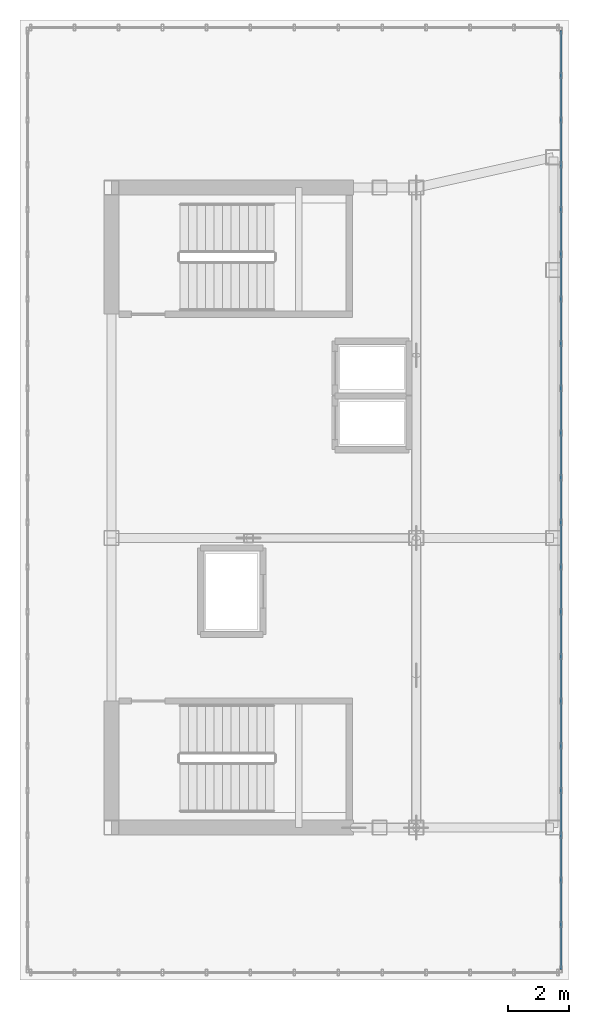
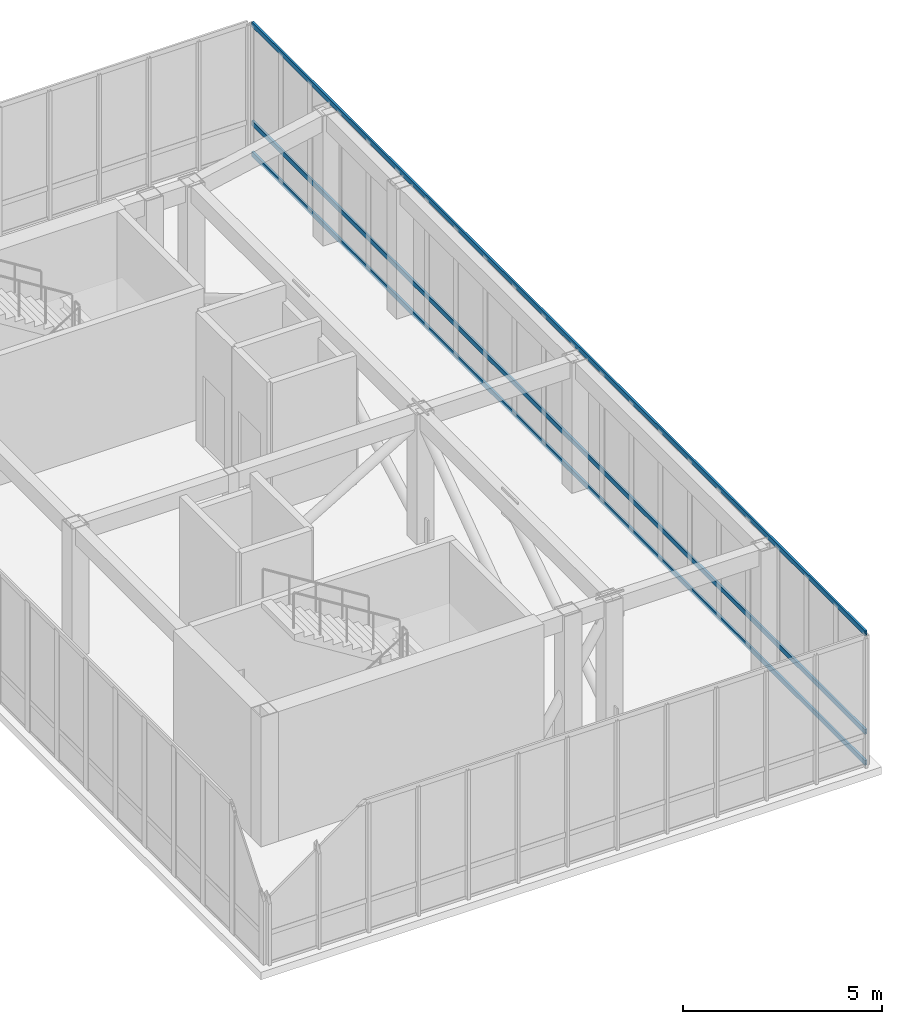
# One storey, part 7 of 13: 3 members, 1 element without a shape of its own.
"""IFC4 building model written with IfcOpenShell, lengths in metres."""

from ifc_helpers import new_model, si_unit, direction, frame, origin, origin_2d, place, context, subcontext, project, spatial, hollow_rectangle, extrude, source, transform, mapped, material, layer, layer_set, material_profile, profile_set, type_object, element, aggregate, save


model = new_model("IFC4")

# Units and contexts
model_context = context("Model", 3, precision=1e-05, world=origin(), true_north=direction((0.0, 1.0)))
body_context = subcontext(model_context, "Body", "Model", "MODEL_VIEW")
ifc_project = project(units=[si_unit("LENGTHUNIT", "METRE"), si_unit("AREAUNIT", "SQUARE_METRE"), si_unit("VOLUMEUNIT", "CUBIC_METRE"), si_unit("PLANEANGLEUNIT", "RADIAN"), si_unit("MASSUNIT", "GRAM", prefix="KILO")], contexts=[model_context])

# Site, building, storey
site_placement = place(None, origin())
site = spatial("IfcSite", under=ifc_project, at=site_placement, CompositionType="ELEMENT")
building_placement = place(site_placement, origin())
building = spatial("IfcBuilding", under=site, at=building_placement, Name="Kharzan Plaza Tower", CompositionType="ELEMENT")
storey_placement = place(building_placement, frame((0.0, 0.0, 285.60009765625)))
storey = spatial("IfcBuildingStorey", under=building, at=storey_placement, Name="L77-CROWN", CompositionType="ELEMENT", Elevation=285.60009765625)

# Curtain wall, members
ifc_material_1 = material(Name="Unitised Bronze-Anodized Aluminium and Low-E Glass", Category="aluminium")
ifc_layer = layer(ifc_material_1, 0.199951171875)
ifc_layer_set = layer_set([ifc_layer], Name="Unitised Bronze-Anodized Aluminium and Low-E Glass")
curtain_wall_type = type_object("IfcCurtainWallType", Name="CW-LANTERN-6", PredefinedType="NOTDEFINED", material=ifc_layer_set)
curtain_wall_placement = place(storey_placement, origin())
curtain_wall = element("IfcCurtainWall", 1, at=curtain_wall_placement, inside=storey, type_object=curtain_wall_type, Name="L77-CROWN Lantern Crown Illuminated Curtain Wall 2", PredefinedType="NOTDEFINED")
ifc_material_2 = material(Name="Anodized Bronze Aluminium", Category="aluminium")
ifc_material_profile = material_profile(ifc_material_2, hollow_rectangle(XDim=0.06005859375, YDim=0.14990234375, WallThickness=0.00341796875, at=origin_2d()), Name="ALU-T150x60x3.5")
ifc_profile_set = profile_set([ifc_material_profile], Name="Anodized Bronze Aluminium")
member_type = type_object("IfcMemberType", Name="MEM-CW-TRN150", PredefinedType="USERDEFINED", material=ifc_profile_set)
shared_shape = source(origin(), body_context, "Body", "SweptSolid", [
    extrude(hollow_rectangle(XDim=0.06005859375, YDim=0.14990234375, WallThickness=0.00341796875, at=origin_2d()), origin(), (0.0, 0.0, 1.0), 30.7998046875),
])
member_1_placement = place(storey_placement, frame((19.25, 3.85009765625, 0.0), z_axis=(0.0, 1.0, 0.0), x_axis=(-1.0, 0.0, 0.0)))
member_1 = element("IfcMember", 2, at=member_1_placement, type_object=member_type, Name="L77-CROWN Curtain-Wall Transom 1", ObjectType="TRANSOM", PredefinedType="USERDEFINED", context=body_context, shape_type="MappedRepresentation", body=[
    mapped(shared_shape, transform((0.0, 0.0, 0.0), x_axis=(1.0, 0.0, 0.0), y_axis=(0.0, 1.0, 0.0), z_axis=(0.0, 0.0, 1.0))),
])
member_2_placement = place(storey_placement, frame((19.25, 3.85009765625, 0.949951171875), z_axis=(0.0, 1.0, 0.0), x_axis=(-1.0, 0.0, 0.0)))
member_2 = element("IfcMember", 3, at=member_2_placement, type_object=member_type, Name="L77-CROWN Curtain-Wall Transom 2", ObjectType="TRANSOM", PredefinedType="USERDEFINED", context=body_context, shape_type="MappedRepresentation", body=[
    mapped(shared_shape, transform((0.0, 0.0, 0.0), x_axis=(1.0, 0.0, 0.0), y_axis=(0.0, 1.0, 0.0), z_axis=(0.0, 0.0, 1.0))),
])
member_3_placement = place(storey_placement, frame((19.25, 3.85009765625, 3.969970703125), z_axis=(0.0, 1.0, 0.0), x_axis=(-1.0, 0.0, 0.0)))
member_3 = element("IfcMember", 4, at=member_3_placement, type_object=member_type, Name="L77-CROWN Curtain-Wall Transom 3", ObjectType="TRANSOM", PredefinedType="USERDEFINED", context=body_context, shape_type="MappedRepresentation", body=[
    mapped(shared_shape, transform((0.0, 0.0, 0.0), x_axis=(1.0, 0.0, 0.0), y_axis=(0.0, 1.0, 0.0), z_axis=(0.0, 0.0, 1.0))),
])
aggregate(curtain_wall, [member_1, member_2, member_3])

save(model, "model.ifc")
